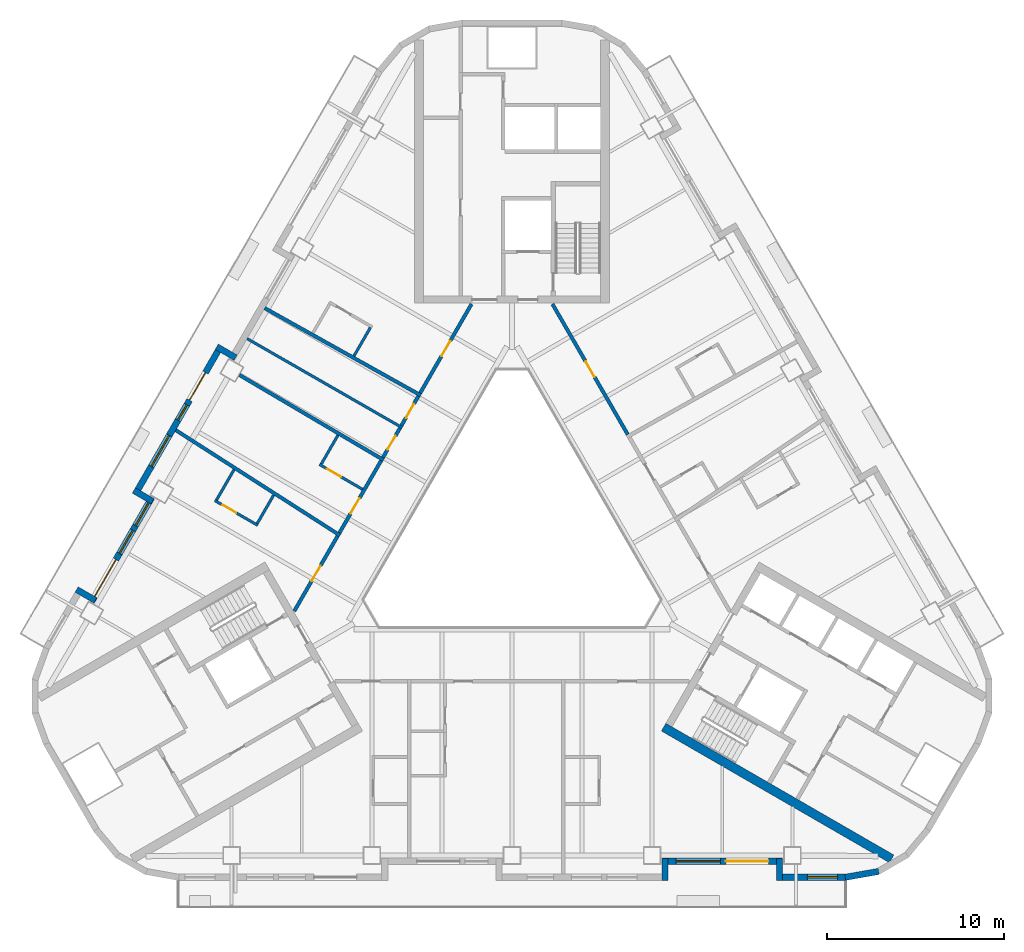
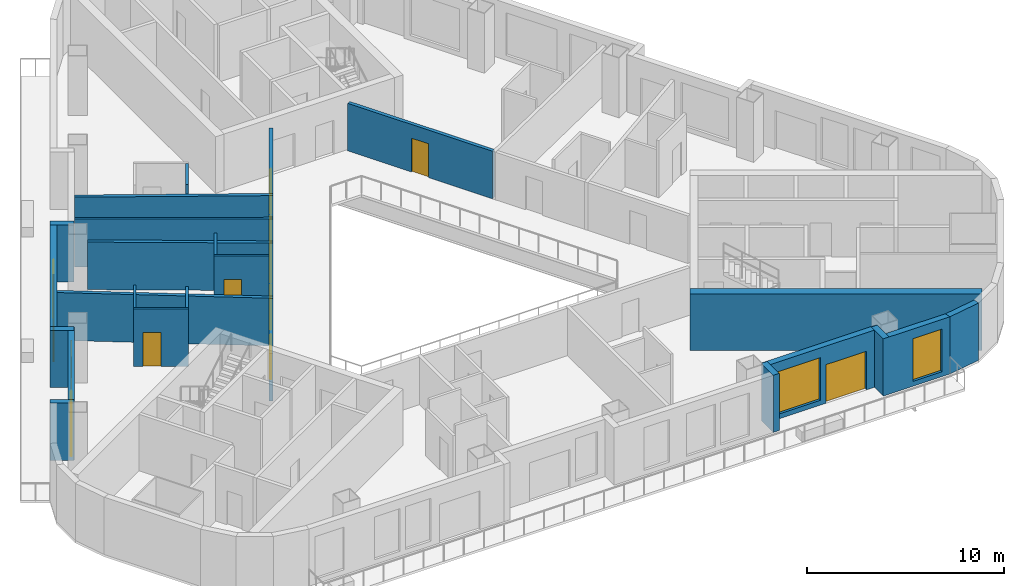
# One storey, part 4 of 13: 27 walls, 11 doors, 6 windows, 17 openings.
"""IFC4 building model written with IfcOpenShell, lengths in metres."""

from ifc_helpers import new_model, si_unit, direction, frame, frame_2d, origin, place, context, subcontext, project, spatial, rectangle, extrude, material, layer, layer_set, type_object, element, fill, save


model = new_model("IFC4")

# Units and contexts
model_context = context("Model", 3, precision=1e-05, world=origin(), true_north=direction((0.0, 1.0)))
body_context = subcontext(model_context, "Body", "Model", "MODEL_VIEW")
ifc_project = project(units=[si_unit("LENGTHUNIT", "METRE"), si_unit("AREAUNIT", "SQUARE_METRE"), si_unit("VOLUMEUNIT", "CUBIC_METRE"), si_unit("PLANEANGLEUNIT", "RADIAN"), si_unit("MASSUNIT", "GRAM", prefix="KILO")], contexts=[model_context])

# Site, building, storey
site_placement = place(None, origin())
site = spatial("IfcSite", under=ifc_project, at=site_placement, CompositionType="ELEMENT")
building_placement = place(site_placement, origin())
building = spatial("IfcBuilding", under=site, at=building_placement, Name="Apuvela Tower Hotel", CompositionType="ELEMENT")
storey_placement = place(building_placement, frame((0.0, 0.0, 57.60009765625)))
storey = spatial("IfcBuildingStorey", under=building, at=storey_placement, Name="L11", CompositionType="ELEMENT", Elevation=57.60009765625)

# Walls
ifc_material_1 = material(Name="Concrete C50/60", Category="concrete")
ifc_layer_1 = layer(ifc_material_1, 0.5)
ifc_layer_set_1 = layer_set([ifc_layer_1], Name="COR-WALL-CORE-500")
wall_type_1 = type_object("IfcWallType", Name="COR-WALL-CORE-500", PredefinedType="SHEAR", material=ifc_layer_set_1)
wall_1_placement = place(storey_placement, frame((8.546630859375, -10.99658203125, 0.0), z_axis=(0.0, 0.0, 1.0), x_axis=(0.866025009528, -0.500000682871, 0.0)))
element("IfcWall", 1, at=wall_1_placement, inside=storey, type_object=wall_type_1, Name="Core wall SE", PredefinedType="SHEAR", context=body_context, shape_type="SweptSolid", body=[
    extrude(rectangle(XDim=14.8369140625, YDim=0.5, at=frame_2d((7.41845703125, 0.0))), origin(), (0.0, 0.0, 1.0), 3.5),
])
ifc_material_2 = material(Name="Concrete C40/50, dark pigmented precast panel", Category="concrete")
ifc_layer_2 = layer(ifc_material_2, 0.35009765625)
ifc_layer_set_2 = layer_set([ifc_layer_2], Name="ENV-WALL-350")
wall_type_2 = type_object("IfcWallType", Name="ENV-WALL-350", PredefinedType="SOLIDWALL", material=ifc_layer_set_2)
wall_2_placement = place(storey_placement, frame((-15.580810546875, 9.8330078125, 0.0), z_axis=(0.0, 0.0, 1.0), x_axis=(-0.866055662726, 0.499947586314, 0.0)))
element("IfcWall", 2, at=wall_2_placement, inside=storey, type_object=wall_type_2, Name="External wall L11-04", PredefinedType="SOLIDWALL", context=body_context, shape_type="SweptSolid", body=[
    extrude(rectangle(XDim=1.220458984375, YDim=0.35009765625, at=frame_2d((0.6103515625, 0.0))), origin(), (0.0, 0.0, 1.0), 3.5498046875),
])

# Wall, openings, door, windows
wall_3_placement = place(storey_placement, frame((-16.3984375, 10.507080078125, 0.0), z_axis=(0.0, 0.0, 1.0), x_axis=(-0.499999142773, -0.866025898704, 0.0)))
wall_3 = element("IfcWall", 3, at=wall_3_placement, inside=storey, type_object=wall_type_2, Name="External wall L11-05", PredefinedType="SOLIDWALL", context=body_context, shape_type="SweptSolid", body=[
    extrude(rectangle(XDim=9.7001953125, YDim=0.35009765625, at=frame_2d((4.85009765625, 0.0))), origin(), (0.0, 0.0, 1.0), 3.5498046875),
])
opening_1_placement = place(wall_3_placement, frame((1.750244140625, 0.0, 0.0)))
opening_1 = element("IfcOpeningElement", 4, at=opening_1_placement, cuts=wall_3, Name="Opening BD18", PredefinedType="OPENING", context=body_context, shape_type="SweptSolid", body=[
    extrude(rectangle(XDim=1.800048828125, YDim=2.39990234375, at=frame_2d((0.89990234375, 1.199951171875))), frame((0.0, 0.18505859375, 0.0), z_axis=(0.0, -1.0, 0.0), x_axis=(1.0, 0.0, 0.0)), (0.0, 0.0, 1.0), 0.3701171875),
])
opening_2_placement = place(wall_3_placement, frame((3.85009765625, 0.0, 0.300048828125)))
opening_2 = element("IfcOpeningElement", 5, at=opening_2_placement, cuts=wall_3, Name="Opening WN10", PredefinedType="OPENING", context=body_context, shape_type="SweptSolid", body=[
    extrude(rectangle(XDim=1.0, YDim=2.64990234375, at=frame_2d((0.5, 1.324951171875))), frame((0.0, 0.18505859375, 0.0), z_axis=(0.0, -1.0, 0.0), x_axis=(1.0, 0.0, 0.0)), (0.0, 0.0, 1.0), 0.3701171875),
])
opening_3_placement = place(wall_3_placement, frame((5.85009765625, 0.0, 0.300048828125)))
opening_3 = element("IfcOpeningElement", 6, at=opening_3_placement, cuts=wall_3, Name="Opening WN20", PredefinedType="OPENING", context=body_context, shape_type="SweptSolid", body=[
    extrude(rectangle(XDim=2.0, YDim=2.64990234375, at=frame_2d((1.0, 1.324951171875))), frame((0.0, 0.18505859375, 0.0), z_axis=(0.0, -1.0, 0.0), x_axis=(1.0, 0.0, 0.0)), (0.0, 0.0, 1.0), 0.3701171875),
])
ifc_material_3 = material(Name="Aluminium 6063-T6, dark bronze anodised frame with dark tinted laminated glass", Category="aluminium")
door_type_1 = type_object("IfcDoorType", Name="ENV-DOOR-BALCONY-1800x2400", OperationType="SLIDING_TO_LEFT", PredefinedType="DOOR", material=ifc_material_3)
door_1_placement = place(opening_1_placement, frame((1.800048828125, 0.0, 0.0), z_axis=(0.0, 0.0, 1.0), x_axis=(-1.0, 0.0, 0.0)))
door_1 = element("IfcDoor", 7, at=door_1_placement, inside=storey, type_object=door_type_1, Name="Balcony door BD18", OperationType="SLIDING_TO_LEFT", OverallHeight=2.39990234375, OverallWidth=1.800048828125, PredefinedType="DOOR", context=body_context, shape_type="SweptSolid", body=[
    extrude(rectangle(XDim=1.800048828125, YDim=2.39990234375, at=frame_2d((0.89990234375, 1.199951171875))), frame((0.0, 0.02490234375, 0.0), z_axis=(0.0, -1.0, 0.0), x_axis=(1.0, 0.0, 0.0)), (0.0, 0.0, 1.0), 0.050048828125),
])
fill(opening_1, door_1)
ifc_material_4 = material(Name="Glass, dark tinted laminated insulated glazing unit", Category="glass")
window_type_1 = type_object("IfcWindowType", Name="ENV-WIN-1000x2650", PartitioningType="SINGLE_PANEL", PredefinedType="WINDOW", material=ifc_material_4)
window_1_placement = place(opening_2_placement, origin())
window_1 = element("IfcWindow", 8, at=window_1_placement, inside=storey, type_object=window_type_1, Name="Window WN10", OverallHeight=2.64990234375, OverallWidth=1.0, PartitioningType="SINGLE_PANEL", PredefinedType="WINDOW", context=body_context, shape_type="SweptSolid", body=[
    extrude(rectangle(XDim=1.0, YDim=2.64990234375, at=frame_2d((0.5, 1.324951171875))), frame((0.0, 0.030029296875, 0.0), z_axis=(0.0, -1.0, 0.0), x_axis=(1.0, 0.0, 0.0)), (0.0, 0.0, 1.0), 0.06005859375),
])
fill(opening_2, window_1)
window_type_2 = type_object("IfcWindowType", Name="ENV-WIN-2000x2650", PartitioningType="SINGLE_PANEL", PredefinedType="WINDOW", material=ifc_material_4)
window_2_placement = place(opening_3_placement, origin())
window_2 = element("IfcWindow", 9, at=window_2_placement, inside=storey, type_object=window_type_2, Name="Window WN20", OverallHeight=2.64990234375, OverallWidth=2.0, PartitioningType="SINGLE_PANEL", PredefinedType="WINDOW", context=body_context, shape_type="SweptSolid", body=[
    extrude(rectangle(XDim=2.0, YDim=2.64990234375, at=frame_2d((1.0, 1.324951171875))), frame((0.0, 0.030029296875, 0.0), z_axis=(0.0, -1.0, 0.0), x_axis=(1.0, 0.0, 0.0)), (0.0, 0.0, 1.0), 0.06005859375),
])
fill(opening_3, window_2)

# Wall
wall_4_placement = place(storey_placement, frame((-21.3125, 2.345703125, 0.0), z_axis=(0.0, 0.0, 1.0), x_axis=(0.866005645448, -0.500034220881, 0.0)))
element("IfcWall", 10, at=wall_4_placement, inside=storey, type_object=wall_type_2, Name="External wall L11-06", PredefinedType="SOLIDWALL", context=body_context, shape_type="SweptSolid", body=[
    extrude(rectangle(XDim=1.22021484375, YDim=0.35009765625, at=frame_2d((0.610107421875, 0.0))), origin(), (0.0, 0.0, 1.0), 3.5498046875),
])

# Wall, openings, door, windows
wall_5_placement = place(storey_placement, frame((-20.30908203125, 1.93359375, 0.0), z_axis=(0.0, 0.0, 1.0), x_axis=(-0.499992114976, -0.866029956157, 0.0)))
wall_5 = element("IfcWall", 11, at=wall_5_placement, inside=storey, type_object=wall_type_2, Name="External wall L11-07", PredefinedType="SOLIDWALL", context=body_context, shape_type="SweptSolid", body=[
    extrude(rectangle(XDim=6.73974609375, YDim=0.35009765625, at=frame_2d((3.369873046875, 0.0))), origin(), (0.0, 0.0, 1.0), 3.5498046875),
])
opening_4_placement = place(wall_5_placement, frame((4.02001953125, 0.0, 0.0)))
opening_4 = element("IfcOpeningElement", 12, at=opening_4_placement, cuts=wall_5, Name="Opening BD24", PredefinedType="OPENING", context=body_context, shape_type="SweptSolid", body=[
    extrude(rectangle(XDim=2.39990234375, YDim=2.39990234375, at=frame_2d((1.199951171875, 1.199951171875))), frame((0.0, 0.18505859375, 0.0), z_axis=(0.0, -1.0, 0.0), x_axis=(1.0, 0.0, 0.0)), (0.0, 0.0, 1.0), 0.3701171875),
])
opening_5_placement = place(wall_5_placement, frame((0.320068359375, 0.0, 0.300048828125)))
opening_5 = element("IfcOpeningElement", 13, at=opening_5_placement, cuts=wall_5, Name="Opening WN15", PredefinedType="OPENING", context=body_context, shape_type="SweptSolid", body=[
    extrude(rectangle(XDim=1.5, YDim=2.64990234375, at=frame_2d((0.75, 1.324951171875))), frame((0.0, 0.18505859375, 0.0), z_axis=(0.0, -1.0, 0.0), x_axis=(1.0, 0.0, 0.0)), (0.0, 0.0, 1.0), 0.3701171875),
])
opening_6_placement = place(wall_5_placement, frame((2.1201171875, 0.0, 0.300048828125)))
opening_6 = element("IfcOpeningElement", 14, at=opening_6_placement, cuts=wall_5, Name="Opening WN15", PredefinedType="OPENING", context=body_context, shape_type="SweptSolid", body=[
    extrude(rectangle(XDim=1.5, YDim=2.64990234375, at=frame_2d((0.75, 1.324951171875))), frame((0.0, 0.18505859375, 0.0), z_axis=(0.0, -1.0, 0.0), x_axis=(1.0, 0.0, 0.0)), (0.0, 0.0, 1.0), 0.3701171875),
])
door_type_2 = type_object("IfcDoorType", Name="ENV-DOOR-BALCONY-2400x2400", OperationType="SLIDING_TO_LEFT", PredefinedType="DOOR", material=ifc_material_3)
door_2_placement = place(opening_4_placement, frame((2.39990234375, 0.0, 0.0), z_axis=(0.0, 0.0, 1.0), x_axis=(-1.0, 0.0, 0.0)))
door_2 = element("IfcDoor", 15, at=door_2_placement, inside=storey, type_object=door_type_2, Name="Balcony door BD24", OperationType="SLIDING_TO_LEFT", OverallHeight=2.39990234375, OverallWidth=2.39990234375, PredefinedType="DOOR", context=body_context, shape_type="SweptSolid", body=[
    extrude(rectangle(XDim=2.39990234375, YDim=2.39990234375, at=frame_2d((1.199951171875, 1.199951171875))), frame((0.0, 0.02490234375, 0.0), z_axis=(0.0, -1.0, 0.0), x_axis=(1.0, 0.0, 0.0)), (0.0, 0.0, 1.0), 0.050048828125),
])
fill(opening_4, door_2)
window_type_3 = type_object("IfcWindowType", Name="ENV-WIN-1500x2650", PartitioningType="SINGLE_PANEL", PredefinedType="WINDOW", material=ifc_material_4)
window_3_placement = place(opening_5_placement, origin())
window_3 = element("IfcWindow", 16, at=window_3_placement, inside=storey, type_object=window_type_3, Name="Window WN15", OverallHeight=2.64990234375, OverallWidth=1.5, PartitioningType="SINGLE_PANEL", PredefinedType="WINDOW", context=body_context, shape_type="SweptSolid", body=[
    extrude(rectangle(XDim=1.5, YDim=2.64990234375, at=frame_2d((0.75, 1.324951171875))), frame((0.0, 0.030029296875, 0.0), z_axis=(0.0, -1.0, 0.0), x_axis=(1.0, 0.0, 0.0)), (0.0, 0.0, 1.0), 0.06005859375),
])
fill(opening_5, window_3)
window_4_placement = place(opening_6_placement, origin())
window_4 = element("IfcWindow", 17, at=window_4_placement, inside=storey, type_object=window_type_3, Name="Window WN15", OverallHeight=2.64990234375, OverallWidth=1.5, PartitioningType="SINGLE_PANEL", PredefinedType="WINDOW", context=body_context, shape_type="SweptSolid", body=[
    extrude(rectangle(XDim=1.5, YDim=2.64990234375, at=frame_2d((0.75, 1.324951171875))), frame((0.0, 0.030029296875, 0.0), z_axis=(0.0, -1.0, 0.0), x_axis=(1.0, 0.0, 0.0)), (0.0, 0.0, 1.0), 0.06005859375),
])
fill(opening_6, window_4)

# Walls
for number, where, z_axis, x_axis, name in (
    (18, (-23.48095703125, -3.85009765625, 0.0), (0.0, 0.0, 1.0), (-0.866092288191, 0.499884134912, 0.0), "External wall L11-08"),
    (19, (8.625, -19.6298828125, 0.0), (0.0, 0.0, 1.0), (0.0, 1.0, 0.0), "External wall L11-22"),
):
    element("IfcWall", number, at=place(storey_placement, frame(where, z_axis=z_axis, x_axis=x_axis)), inside=storey, type_object=wall_type_2, Name=name, PredefinedType="SOLIDWALL", context=body_context, shape_type="SweptSolid", body=[
        extrude(rectangle(XDim=1.219970703125, YDim=0.35009765625, at=frame_2d((0.60986328125, 0.0))), origin(), (0.0, 0.0, 1.0), 3.5498046875),
    ])

# Wall, openings, door, window
wall_6_placement = place(storey_placement, frame((8.47998046875, -18.554931640625, 0.0), z_axis=(0.0, 0.0, 1.0), x_axis=(1.0, 0.0, 0.0)))
wall_6 = element("IfcWall", 20, at=wall_6_placement, inside=storey, type_object=wall_type_2, Name="External wall L11-23", PredefinedType="SOLIDWALL", context=body_context, shape_type="SweptSolid", body=[
    extrude(rectangle(XDim=6.739990234375, YDim=0.35009765625, at=frame_2d((3.3701171875, 0.0))), origin(), (0.0, 0.0, 1.0), 3.5498046875),
])
opening_7_placement = place(wall_6_placement, frame((3.570068359375, 0.0, 0.0)))
opening_7 = element("IfcOpeningElement", 21, at=opening_7_placement, cuts=wall_6, Name="Opening BD24", PredefinedType="OPENING", context=body_context, shape_type="SweptSolid", body=[
    extrude(rectangle(XDim=2.39990234375, YDim=2.39990234375, at=frame_2d((1.199951171875, 1.199951171875))), frame((0.0, 0.18505859375, 0.0), z_axis=(0.0, -1.0, 0.0), x_axis=(1.0, 0.0, 0.0)), (0.0, 0.0, 1.0), 0.3701171875),
])
opening_8_placement = place(wall_6_placement, frame((0.77001953125, 0.0, 0.300048828125)))
opening_8 = element("IfcOpeningElement", 22, at=opening_8_placement, cuts=wall_6, Name="Opening WN25", PredefinedType="OPENING", context=body_context, shape_type="SweptSolid", body=[
    extrude(rectangle(XDim=2.5, YDim=2.64990234375, at=frame_2d((1.25, 1.324951171875))), frame((0.0, 0.18505859375, 0.0), z_axis=(0.0, -1.0, 0.0), x_axis=(1.0, 0.0, 0.0)), (0.0, 0.0, 1.0), 0.3701171875),
])
door_3_placement = place(opening_7_placement, frame((2.39990234375, 0.0, 0.0), z_axis=(0.0, 0.0, 1.0), x_axis=(-1.0, 0.0, 0.0)))
door_3 = element("IfcDoor", 23, at=door_3_placement, inside=storey, type_object=door_type_2, Name="Balcony door BD24", OperationType="SLIDING_TO_LEFT", OverallHeight=2.39990234375, OverallWidth=2.39990234375, PredefinedType="DOOR", context=body_context, shape_type="SweptSolid", body=[
    extrude(rectangle(XDim=2.39990234375, YDim=2.39990234375, at=frame_2d((1.199951171875, 1.199951171875))), frame((0.0, 0.02490234375, 0.0), z_axis=(0.0, -1.0, 0.0), x_axis=(1.0, 0.0, 0.0)), (0.0, 0.0, 1.0), 0.050048828125),
])
fill(opening_7, door_3)
window_type_4 = type_object("IfcWindowType", Name="ENV-WIN-2500x2650", PartitioningType="SINGLE_PANEL", PredefinedType="WINDOW", material=ifc_material_4)
window_5_placement = place(opening_8_placement, origin())
window_5 = element("IfcWindow", 24, at=window_5_placement, inside=storey, type_object=window_type_4, Name="Window WN25", OverallHeight=2.64990234375, OverallWidth=2.5, PartitioningType="SINGLE_PANEL", PredefinedType="WINDOW", context=body_context, shape_type="SweptSolid", body=[
    extrude(rectangle(XDim=2.5, YDim=2.64990234375, at=frame_2d((1.25, 1.324951171875))), frame((0.0, 0.030029296875, 0.0), z_axis=(0.0, -1.0, 0.0), x_axis=(1.0, 0.0, 0.0)), (0.0, 0.0, 1.0), 0.06005859375),
])
fill(opening_8, window_5)

# Wall
wall_7_placement = place(storey_placement, frame((15.074951171875, -18.409912109375, 0.0), z_axis=(0.0, 0.0, 1.0), x_axis=(0.0, -1.0, 0.0)))
element("IfcWall", 25, at=wall_7_placement, inside=storey, type_object=wall_type_2, Name="External wall L11-24", PredefinedType="SOLIDWALL", context=body_context, shape_type="SweptSolid", body=[
    extrude(rectangle(XDim=1.219970703125, YDim=0.35009765625, at=frame_2d((0.60986328125, 0.0))), origin(), (0.0, 0.0, 1.0), 3.5498046875),
])

# Wall, opening, window
wall_8_placement = place(storey_placement, frame((14.89990234375, -19.455078125, 0.0), z_axis=(0.0, 0.0, 1.0), x_axis=(1.0, 0.0, 0.0)))
wall_8 = element("IfcWall", 26, at=wall_8_placement, inside=storey, type_object=wall_type_2, Name="External wall L11-25", PredefinedType="SOLIDWALL", context=body_context, shape_type="SweptSolid", body=[
    extrude(rectangle(XDim=3.916015625, YDim=0.35009765625, at=frame_2d((1.9580078125, 0.0))), origin(), (0.0, 0.0, 1.0), 3.5498046875),
])
opening_9_placement = place(wall_8_placement, frame((1.749755859375, 0.0, 0.300048828125)))
opening_9 = element("IfcOpeningElement", 27, at=opening_9_placement, cuts=wall_8, Name="Opening WN17", PredefinedType="OPENING", context=body_context, shape_type="SweptSolid", body=[
    extrude(rectangle(XDim=1.699951171875, YDim=2.64990234375, at=frame_2d((0.85009765625, 1.324951171875))), frame((0.0, 0.18505859375, 0.0), z_axis=(0.0, -1.0, 0.0), x_axis=(1.0, 0.0, 0.0)), (0.0, 0.0, 1.0), 0.3701171875),
])
window_type_5 = type_object("IfcWindowType", Name="ENV-WIN-1700x2650", PartitioningType="SINGLE_PANEL", PredefinedType="WINDOW", material=ifc_material_4)
window_6_placement = place(opening_9_placement, origin())
window_6 = element("IfcWindow", 28, at=window_6_placement, inside=storey, type_object=window_type_5, Name="Window WN17", OverallHeight=2.64990234375, OverallWidth=1.699951171875, PartitioningType="SINGLE_PANEL", PredefinedType="WINDOW", context=body_context, shape_type="SweptSolid", body=[
    extrude(rectangle(XDim=1.699951171875, YDim=2.64990234375, at=frame_2d((0.85009765625, 1.324951171875))), frame((0.0, 0.030029296875, 0.0), z_axis=(0.0, -1.0, 0.0), x_axis=(1.0, 0.0, 0.0)), (0.0, 0.0, 1.0), 0.06005859375),
])
fill(opening_9, window_6)

# Walls
wall_9_placement = place(storey_placement, frame((18.785400390625, -19.457763671875, 0.0), z_axis=(0.0, 0.0, 1.0), x_axis=(0.984798995425, 0.173697837091, 0.0)))
element("IfcWall", 29, at=wall_9_placement, inside=storey, type_object=wall_type_2, Name="External wall L11-26", PredefinedType="SOLIDWALL", context=body_context, shape_type="SweptSolid", body=[
    extrude(rectangle(XDim=1.91015625, YDim=0.35009765625, at=frame_2d((0.955078125, 0.0))), origin(), (0.0, 0.0, 1.0), 3.5498046875),
])
ifc_material_5 = material(Name="Gypsum board partition on twin steel stud", Category="steel")
ifc_layer_3 = layer(ifc_material_5, 0.199951171875)
ifc_layer_set_3 = layer_set([ifc_layer_3], Name="GST-PW1")
wall_type_3 = type_object("IfcWallType", Name="GST-PW1", PredefinedType="PARTITIONING", material=ifc_layer_set_3)
wall_10_placement = place(storey_placement, frame((-13.936279296875, 12.62158203125, 0.0), z_axis=(0.0, 0.0, 1.0), x_axis=(0.872898889426, -0.487901146585, 0.0)))
element("IfcWall", 30, at=wall_10_placement, inside=storey, type_object=wall_type_3, Name="L11 partition 05", PredefinedType="PARTITIONING", context=body_context, shape_type="SweptSolid", body=[
    extrude(rectangle(XDim=10.080810546875, YDim=0.199951171875, at=frame_2d((5.04052734375, 0.0))), origin(), (0.0, 0.0, 1.0), 2.949951171875),
])
wall_11_placement = place(storey_placement, frame((-15.36181640625, 8.8525390625, 0.0), z_axis=(0.0, 0.0, 1.0), x_axis=(0.861347313363, -0.508016540835, 0.0)))
element("IfcWall", 31, at=wall_11_placement, inside=storey, type_object=wall_type_3, Name="L11 partition 06", PredefinedType="PARTITIONING", context=body_context, shape_type="SweptSolid", body=[
    extrude(rectangle(XDim=9.430419921875, YDim=0.199951171875, at=frame_2d((4.71533203125, 0.0))), origin(), (0.0, 0.0, 1.0), 2.949951171875),
])
wall_12_placement = place(storey_placement, frame((-18.947021484375, 5.742919921875, 0.0), z_axis=(0.0, 0.0, 1.0), x_axis=(0.84192674528, -0.539591841657, 0.0)))
element("IfcWall", 32, at=wall_12_placement, inside=storey, type_object=wall_type_3, Name="L11 partition 07", PredefinedType="PARTITIONING", context=body_context, shape_type="SweptSolid", body=[
    extrude(rectangle(XDim=10.991943359375, YDim=0.199951171875, at=frame_2d((5.49609375, 0.0))), origin(), (0.0, 0.0, 1.0), 2.9599609375),
])

# Wall, opening, door
ifc_material_6 = material(Name="Gypsum board corridor wall on twin steel stud, acoustic", Category="steel")
ifc_layer_4 = layer(ifc_material_6, 0.199951171875)
ifc_layer_set_4 = layer_set([ifc_layer_4], Name="GST-PW2")
wall_type_4 = type_object("IfcWallType", Name="GST-PW2", PredefinedType="PARTITIONING", material=ifc_layer_set_4)
wall_13_placement = place(storey_placement, frame((2.280517578125, 12.85009765625, 0.0), z_axis=(0.0, 0.0, 1.0), x_axis=(0.499997198377, -0.866027021296, 0.0)))
wall_13 = element("IfcWall", 33, at=wall_13_placement, inside=storey, type_object=wall_type_4, Name="L11 partition 28", PredefinedType="PARTITIONING", context=body_context, shape_type="SweptSolid", body=[
    extrude(rectangle(XDim=8.48681640625, YDim=0.199951171875, at=frame_2d((4.243408203125, 0.0))), origin(), (0.0, 0.0, 1.0), 2.949951171875),
])
opening_10_placement = place(wall_13_placement, frame((3.743408203125, 0.0, 0.0)))
opening_10 = element("IfcOpeningElement", 34, at=opening_10_placement, cuts=wall_13, Name="Opening GD02-13", PredefinedType="OPENING", context=body_context, shape_type="SweptSolid", body=[
    extrude(rectangle(XDim=1.0, YDim=2.10009765625, at=frame_2d((0.5, 1.050048828125))), frame((0.0, 0.10986328125, 0.0), z_axis=(0.0, -1.0, 0.0), x_axis=(1.0, 0.0, 0.0)), (0.0, 0.0, 1.0), 0.219970703125),
])
ifc_material_7 = material(Name="Timber door leaf in steel frame", Category="steel")
door_type_3 = type_object("IfcDoorType", Name="GST-D1", OperationType="NOTDEFINED", PredefinedType="DOOR", material=ifc_material_7)
door_4_placement = place(opening_10_placement, origin())
door_4 = element("IfcDoor", 35, at=door_4_placement, inside=storey, type_object=door_type_3, Name="Door L11-13", OperationType="SINGLE_SWING_RIGHT", OverallHeight=2.10009765625, OverallWidth=1.0, PredefinedType="DOOR", context=body_context, shape_type="SweptSolid", body=[
    extrude(rectangle(XDim=1.0, YDim=2.10009765625, at=frame_2d((0.5, 1.050048828125))), frame((0.0, 0.02490234375, 0.0), z_axis=(0.0, -1.0, 0.0), x_axis=(1.0, 0.0, 0.0)), (0.0, 0.0, 1.0), 0.050048828125),
])
fill(opening_10, door_4)

wall_14_placement = place(storey_placement, frame((-5.173828125, 7.83837890625, 0.0), z_axis=(0.0, 0.0, 1.0), x_axis=(0.499973220989, 0.866040864101, 0.0)))
wall_14 = element("IfcWall", 36, at=wall_14_placement, inside=storey, type_object=wall_type_4, Name="L11 partition 32", PredefinedType="PARTITIONING", context=body_context, shape_type="SweptSolid", body=[
    extrude(rectangle(XDim=5.786865234375, YDim=0.199951171875, at=frame_2d((2.8935546875, 0.0))), origin(), (0.0, 0.0, 1.0), 2.949951171875),
])
opening_11_placement = place(wall_14_placement, frame((2.393310546875, 0.0, 0.0)))
opening_11 = element("IfcOpeningElement", 37, at=opening_11_placement, cuts=wall_14, Name="Opening GD02-15", PredefinedType="OPENING", context=body_context, shape_type="SweptSolid", body=[
    extrude(rectangle(XDim=1.0, YDim=2.10009765625, at=frame_2d((0.5, 1.050048828125))), frame((0.0, 0.10986328125, 0.0), z_axis=(0.0, -1.0, 0.0), x_axis=(1.0, 0.0, 0.0)), (0.0, 0.0, 1.0), 0.219970703125),
])
door_5_placement = place(opening_11_placement, origin())
door_5 = element("IfcDoor", 38, at=door_5_placement, inside=storey, type_object=door_type_3, Name="Door L11-15", OperationType="SINGLE_SWING_LEFT", OverallHeight=2.10009765625, OverallWidth=1.0, PredefinedType="DOOR", context=body_context, shape_type="SweptSolid", body=[
    extrude(rectangle(XDim=1.0, YDim=2.10009765625, at=frame_2d((0.5, 1.050048828125))), frame((0.0, 0.02490234375, 0.0), z_axis=(0.0, -1.0, 0.0), x_axis=(1.0, 0.0, 0.0)), (0.0, 0.0, 1.0), 0.050048828125),
])
fill(opening_11, door_5)

wall_15_placement = place(storey_placement, frame((-6.237060546875, 5.997314453125, 0.0), z_axis=(0.0, 0.0, 1.0), x_axis=(0.500051616692, 0.865995600822, 0.0)))
wall_15 = element("IfcWall", 39, at=wall_15_placement, inside=storey, type_object=wall_type_4, Name="L11 partition 37", PredefinedType="PARTITIONING", context=body_context, shape_type="SweptSolid", body=[
    extrude(rectangle(XDim=1.926025390625, YDim=0.199951171875, at=frame_2d((0.962890625, 0.0))), origin(), (0.0, 0.0, 1.0), 2.949951171875),
])
opening_12_placement = place(wall_15_placement, frame((0.51318359375, 0.0, 0.0)))
opening_12 = element("IfcOpeningElement", 40, at=opening_12_placement, cuts=wall_15, Name="Opening GD02-16", PredefinedType="OPENING", context=body_context, shape_type="SweptSolid", body=[
    extrude(rectangle(XDim=0.89990234375, YDim=2.10009765625, at=frame_2d((0.449951171875, 1.050048828125))), frame((0.0, 0.10986328125, 0.0), z_axis=(0.0, -1.0, 0.0), x_axis=(1.0, 0.0, 0.0)), (0.0, 0.0, 1.0), 0.219970703125),
])
door_type_4 = type_object("IfcDoorType", Name="GST-D2", OperationType="NOTDEFINED", PredefinedType="DOOR", material=ifc_material_7)
door_6_placement = place(opening_12_placement, origin())
door_6 = element("IfcDoor", 41, at=door_6_placement, inside=storey, type_object=door_type_4, Name="Door L11-16", OperationType="SINGLE_SWING_LEFT", OverallHeight=2.10009765625, OverallWidth=0.89990234375, PredefinedType="DOOR", context=body_context, shape_type="SweptSolid", body=[
    extrude(rectangle(XDim=0.89990234375, YDim=2.10009765625, at=frame_2d((0.449951171875, 1.050048828125))), frame((0.0, 0.02490234375, 0.0), z_axis=(0.0, -1.0, 0.0), x_axis=(1.0, 0.0, 0.0)), (0.0, 0.0, 1.0), 0.050048828125),
])
fill(opening_12, door_6)

wall_16_placement = place(storey_placement, frame((-7.275146484375, 4.19921875, 0.0), z_axis=(0.0, 0.0, 1.0), x_axis=(0.500051616692, 0.865995600822, 0.0)))
wall_16 = element("IfcWall", 42, at=wall_16_placement, inside=storey, type_object=wall_type_4, Name="L11 partition 38", PredefinedType="PARTITIONING", context=body_context, shape_type="SweptSolid", body=[
    extrude(rectangle(XDim=1.926025390625, YDim=0.199951171875, at=frame_2d((0.962890625, 0.0))), origin(), (0.0, 0.0, 1.0), 2.949951171875),
])
opening_13_placement = place(wall_16_placement, frame((0.51318359375, 0.0, 0.0)))
opening_13 = element("IfcOpeningElement", 43, at=opening_13_placement, cuts=wall_16, Name="Opening GD02-17", PredefinedType="OPENING", context=body_context, shape_type="SweptSolid", body=[
    extrude(rectangle(XDim=0.89990234375, YDim=2.10009765625, at=frame_2d((0.449951171875, 1.050048828125))), frame((0.0, 0.10986328125, 0.0), z_axis=(0.0, -1.0, 0.0), x_axis=(1.0, 0.0, 0.0)), (0.0, 0.0, 1.0), 0.219970703125),
])
door_7_placement = place(opening_13_placement, origin())
door_7 = element("IfcDoor", 44, at=door_7_placement, inside=storey, type_object=door_type_4, Name="Door L11-17", OperationType="SINGLE_SWING_RIGHT", OverallHeight=2.10009765625, OverallWidth=0.89990234375, PredefinedType="DOOR", context=body_context, shape_type="SweptSolid", body=[
    extrude(rectangle(XDim=0.89990234375, YDim=2.10009765625, at=frame_2d((0.449951171875, 1.050048828125))), frame((0.0, 0.02490234375, 0.0), z_axis=(0.0, -1.0, 0.0), x_axis=(1.0, 0.0, 0.0)), (0.0, 0.0, 1.0), 0.050048828125),
])
fill(opening_13, door_7)

wall_17_placement = place(storey_placement, frame((-9.726806640625, -0.04736328125, 0.0), z_axis=(0.0, 0.0, 1.0), x_axis=(0.500019002036, 0.866014432676, 0.0)))
wall_17 = element("IfcWall", 45, at=wall_17_placement, inside=storey, type_object=wall_type_4, Name="L11 partition 39", PredefinedType="PARTITIONING", context=body_context, shape_type="SweptSolid", body=[
    extrude(rectangle(XDim=4.703369140625, YDim=0.199951171875, at=frame_2d((2.3515625, 0.0))), origin(), (0.0, 0.0, 1.0), 2.949951171875),
])
opening_14_placement = place(wall_17_placement, frame((1.25439453125, 0.0, 0.0)))
opening_14 = element("IfcOpeningElement", 46, at=opening_14_placement, cuts=wall_17, Name="Opening GD02-19", PredefinedType="OPENING", context=body_context, shape_type="SweptSolid", body=[
    extrude(rectangle(XDim=1.0, YDim=2.10009765625, at=frame_2d((0.5, 1.050048828125))), frame((0.0, 0.10986328125, 0.0), z_axis=(0.0, -1.0, 0.0), x_axis=(1.0, 0.0, 0.0)), (0.0, 0.0, 1.0), 0.219970703125),
])
door_8_placement = place(opening_14_placement, origin())
door_8 = element("IfcDoor", 47, at=door_8_placement, inside=storey, type_object=door_type_3, Name="Door L11-19", OperationType="SINGLE_SWING_LEFT", OverallHeight=2.10009765625, OverallWidth=1.0, PredefinedType="DOOR", context=body_context, shape_type="SweptSolid", body=[
    extrude(rectangle(XDim=1.0, YDim=2.10009765625, at=frame_2d((0.5, 1.050048828125))), frame((0.0, 0.02490234375, 0.0), z_axis=(0.0, -1.0, 0.0), x_axis=(1.0, 0.0, 0.0)), (0.0, 0.0, 1.0), 0.050048828125),
])
fill(opening_14, door_8)

wall_18_placement = place(storey_placement, frame((-12.268798828125, -4.449951171875, 0.0), z_axis=(0.0, 0.0, 1.0), x_axis=(0.500021044785, 0.866013253231, 0.0)))
wall_18 = element("IfcWall", 48, at=wall_18_placement, inside=storey, type_object=wall_type_4, Name="L11 partition 42", PredefinedType="PARTITIONING", context=body_context, shape_type="SweptSolid", body=[
    extrude(rectangle(XDim=4.883544921875, YDim=0.199951171875, at=frame_2d((2.44189453125, 0.0))), origin(), (0.0, 0.0, 1.0), 2.949951171875),
])
opening_15_placement = place(wall_18_placement, frame((1.941650390625, 0.0, 0.0)))
opening_15 = element("IfcOpeningElement", 49, at=opening_15_placement, cuts=wall_18, Name="Opening GD02-21", PredefinedType="OPENING", context=body_context, shape_type="SweptSolid", body=[
    extrude(rectangle(XDim=1.0, YDim=2.10009765625, at=frame_2d((0.5, 1.050048828125))), frame((0.0, 0.10986328125, 0.0), z_axis=(0.0, -1.0, 0.0), x_axis=(1.0, 0.0, 0.0)), (0.0, 0.0, 1.0), 0.219970703125),
])
door_9_placement = place(opening_15_placement, origin())
door_9 = element("IfcDoor", 50, at=door_9_placement, inside=storey, type_object=door_type_3, Name="Door L11-21", OperationType="SINGLE_SWING_RIGHT", OverallHeight=2.10009765625, OverallWidth=1.0, PredefinedType="DOOR", context=body_context, shape_type="SweptSolid", body=[
    extrude(rectangle(XDim=1.0, YDim=2.10009765625, at=frame_2d((0.5, 1.050048828125))), frame((0.0, 0.02490234375, 0.0), z_axis=(0.0, -1.0, 0.0), x_axis=(1.0, 0.0, 0.0)), (0.0, 0.0, 1.0), 0.050048828125),
])
fill(opening_15, door_9)

# Walls
ifc_material_8 = material(Name="Moisture-resistant gypsum board wet wall on steel stud", Category="steel")
ifc_layer_5 = layer(ifc_material_8, 0.14990234375)
ifc_layer_set_5 = layer_set([ifc_layer_5], Name="GST-PW3")
wall_type_5 = type_object("IfcWallType", Name="GST-PW3", PredefinedType="PARTITIONING", material=ifc_layer_set_5)
wall_19_placement = place(storey_placement, frame((-7.98046875, 11.527587890625, 0.0), z_axis=(0.0, 0.0, 1.0), x_axis=(-0.500011685716, -0.866018656928, 0.0)))
element("IfcWall", 51, at=wall_19_placement, inside=storey, type_object=wall_type_5, Name="L11 partition 35", PredefinedType="PARTITIONING", context=body_context, shape_type="SweptSolid", body=[
    extrude(rectangle(XDim=1.85107421875, YDim=0.14990234375, at=frame_2d((0.925537109375, 0.0))), origin(), (0.0, 0.0, 1.0), 3.5498046875),
])
wall_20_placement = place(storey_placement, frame((-14.928955078125, 10.902099609375, 0.0), z_axis=(0.0, 0.0, 1.0), x_axis=(0.867191892367, -0.497974117614, 0.0)))
element("IfcWall", 52, at=wall_20_placement, inside=storey, type_object=wall_type_5, Name="L11 partition 36", PredefinedType="PARTITIONING", context=body_context, shape_type="SweptSolid", body=[
    extrude(rectangle(XDim=10.079833984375, YDim=0.14990234375, at=frame_2d((5.0400390625, 0.0))), origin(), (0.0, 0.0, 1.0), 2.9599609375),
])

# Wall, opening, door
wall_21_placement = place(storey_placement, frame((-10.8486328125, 3.809814453125, 0.0), z_axis=(0.0, 0.0, 1.0), x_axis=(0.866018616679, -0.500011755427, 0.0)))
wall_21 = element("IfcWall", 53, at=wall_21_placement, inside=storey, type_object=wall_type_5, Name="L11 partition 40", PredefinedType="PARTITIONING", context=body_context, shape_type="SweptSolid", body=[
    extrude(rectangle(XDim=2.80029296875, YDim=0.14990234375, at=frame_2d((1.400146484375, 0.0))), origin(), (0.0, 0.0, 1.0), 3.5498046875),
])
opening_16_placement = place(wall_21_placement, frame((0.5, 0.0, 0.0)))
opening_16 = element("IfcOpeningElement", 54, at=opening_16_placement, cuts=wall_21, Name="Opening GD02-18", PredefinedType="OPENING", context=body_context, shape_type="SweptSolid", body=[
    extrude(rectangle(XDim=0.89990234375, YDim=2.10009765625, at=frame_2d((0.449951171875, 1.050048828125))), frame((0.0, 0.0849609375, 0.0), z_axis=(0.0, -1.0, 0.0), x_axis=(1.0, 0.0, 0.0)), (0.0, 0.0, 1.0), 0.169921875),
])
door_10_placement = place(opening_16_placement, origin())
door_10 = element("IfcDoor", 55, at=door_10_placement, inside=storey, type_object=door_type_4, Name="Door L11-18", OperationType="SINGLE_SWING_LEFT", OverallHeight=2.10009765625, OverallWidth=0.89990234375, PredefinedType="DOOR", context=body_context, shape_type="SweptSolid", body=[
    extrude(rectangle(XDim=0.89990234375, YDim=2.10009765625, at=frame_2d((0.449951171875, 1.050048828125))), frame((0.0, 0.02490234375, 0.0), z_axis=(0.0, -1.0, 0.0), x_axis=(1.0, 0.0, 0.0)), (0.0, 0.0, 1.0), 0.050048828125),
])
fill(opening_16, door_10)

# Wall
wall_22_placement = place(storey_placement, frame((-9.80859375, 5.461181640625, 0.0), z_axis=(0.0, 0.0, 1.0), x_axis=(-0.499947857008, -0.866055506462, 0.0)))
element("IfcWall", 56, at=wall_22_placement, inside=storey, type_object=wall_type_5, Name="L11 partition 41", PredefinedType="PARTITIONING", context=body_context, shape_type="SweptSolid", body=[
    extrude(rectangle(XDim=1.875244140625, YDim=0.14990234375, at=frame_2d((0.9375, 0.0))), origin(), (0.0, 0.0, 1.0), 3.5498046875),
])

# Wall, opening, door
wall_23_placement = place(storey_placement, frame((-16.75439453125, 1.78076171875, 0.0), z_axis=(0.0, 0.0, 1.0), x_axis=(0.866056369097, -0.49994636267, 0.0)))
wall_23 = element("IfcWall", 57, at=wall_23_placement, inside=storey, type_object=wall_type_5, Name="L11 partition 43", PredefinedType="PARTITIONING", context=body_context, shape_type="SweptSolid", body=[
    extrude(rectangle(XDim=2.800048828125, YDim=0.14990234375, at=frame_2d((1.39990234375, 0.0))), origin(), (0.0, 0.0, 1.0), 3.5498046875),
])
opening_17_placement = place(wall_23_placement, frame((0.5, 0.0, 0.0)))
opening_17 = element("IfcOpeningElement", 58, at=opening_17_placement, cuts=wall_23, Name="Opening GD02-20", PredefinedType="OPENING", context=body_context, shape_type="SweptSolid", body=[
    extrude(rectangle(XDim=0.89990234375, YDim=2.10009765625, at=frame_2d((0.449951171875, 1.050048828125))), frame((0.0, 0.0849609375, 0.0), z_axis=(0.0, -1.0, 0.0), x_axis=(1.0, 0.0, 0.0)), (0.0, 0.0, 1.0), 0.169921875),
])
door_11_placement = place(opening_17_placement, origin())
door_11 = element("IfcDoor", 59, at=door_11_placement, inside=storey, type_object=door_type_4, Name="Door L11-20", OperationType="SINGLE_SWING_LEFT", OverallHeight=2.10009765625, OverallWidth=0.89990234375, PredefinedType="DOOR", context=body_context, shape_type="SweptSolid", body=[
    extrude(rectangle(XDim=0.89990234375, YDim=2.10009765625, at=frame_2d((0.449951171875, 1.050048828125))), frame((0.0, 0.02490234375, 0.0), z_axis=(0.0, -1.0, 0.0), x_axis=(1.0, 0.0, 0.0)), (0.0, 0.0, 1.0), 0.050048828125),
])
fill(opening_17, door_11)

# Walls
wall_24_placement = place(storey_placement, frame((-15.66357421875, 3.519775390625, 0.0), z_axis=(0.0, 0.0, 1.0), x_axis=(-0.500018274647, -0.866014852655, 0.0)))
element("IfcWall", 60, at=wall_24_placement, inside=storey, type_object=wall_type_5, Name="L11 partition 44", PredefinedType="PARTITIONING", context=body_context, shape_type="SweptSolid", body=[
    extrude(rectangle(XDim=1.9765625, YDim=0.14990234375, at=frame_2d((0.98828125, 0.0))), origin(), (0.0, 0.0, 1.0), 3.5498046875),
])
wall_25_placement = place(storey_placement, frame((-13.43017578125, 2.08837890625, 0.0), z_axis=(0.0, 0.0, 1.0), x_axis=(-0.499893495202, -0.866086885627, 0.0)))
element("IfcWall", 61, at=wall_25_placement, inside=storey, type_object=wall_type_5, Name="L11 partition 45", PredefinedType="PARTITIONING", context=body_context, shape_type="SweptSolid", body=[
    extrude(rectangle(XDim=1.853515625, YDim=0.14990234375, at=frame_2d((0.9267578125, 0.0))), origin(), (0.0, 0.0, 1.0), 3.5498046875),
])

save(model, "model.ifc")
